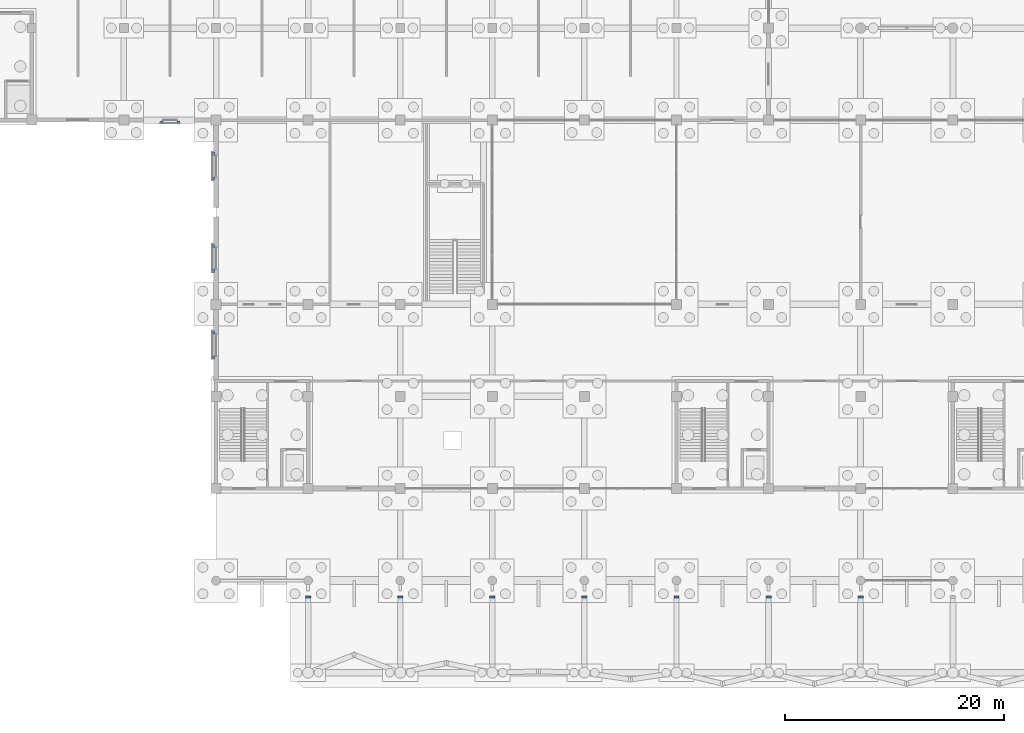
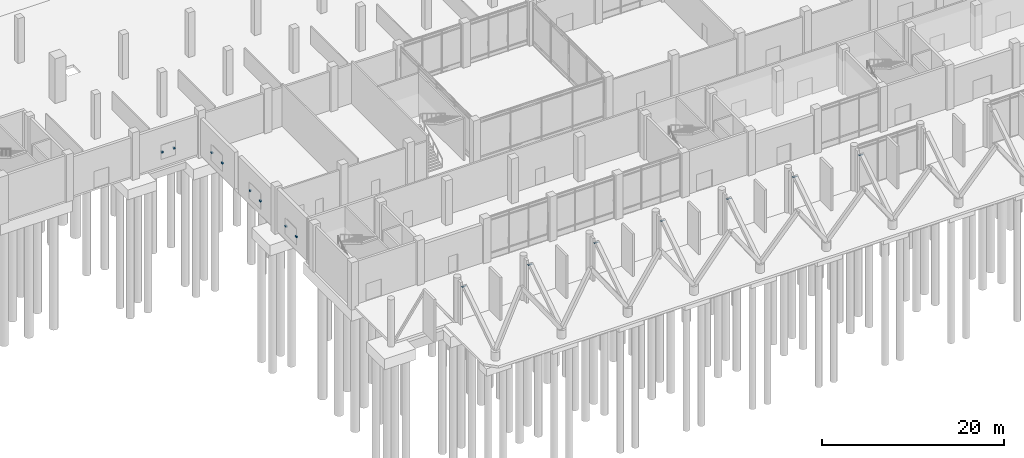
# One storey, part 65 of 72: 15 discrete accessories.
"""IFC4 building model written with IfcOpenShell, lengths in metres."""

from ifc_helpers import new_model, si_unit, direction, frame, origin, origin_2d, place, context, subcontext, project, spatial, rectangle, extrude, material, type_object, element, save


model = new_model("IFC4")

# Units and contexts
model_context = context("Model", 3, precision=1e-05, world=origin(), true_north=direction((0.0, 1.0)))
body_context = subcontext(model_context, "Body", "Model", "MODEL_VIEW")
ifc_project = project(units=[si_unit("LENGTHUNIT", "METRE"), si_unit("AREAUNIT", "SQUARE_METRE"), si_unit("VOLUMEUNIT", "CUBIC_METRE"), si_unit("PLANEANGLEUNIT", "RADIAN"), si_unit("MASSUNIT", "GRAM", prefix="KILO")], contexts=[model_context])

# Site, building, storey
site_placement = place(None, origin())
site = spatial("IfcSite", under=ifc_project, at=site_placement, CompositionType="ELEMENT")
building_placement = place(site_placement, origin())
building = spatial("IfcBuilding", under=site, at=building_placement, Name="Qawsi Khor Wholesale Market", CompositionType="ELEMENT")
storey_placement = place(building_placement, origin())
storey = spatial("IfcBuildingStorey", under=building, at=storey_placement, Name="L00", CompositionType="ELEMENT", Elevation=0.0)

# Discrete accessories
ifc_material = material(Name="Steel S355", Category="steel")
discrete_accessory_type_1 = type_object("IfcDiscreteAccessoryType", Name="Screen Fixing Bracket Steel S355", PredefinedType="BRACKET", material=ifc_material)
for number, where, z_axis, x_axis, name in (
    (1, (24.945068359375, 20.364990234375, 1.875), (0.0, 0.0, 1.0), (1.0, 0.0, 0.0), "Screen bracket 053-1"),
    (2, (24.945068359375, 22.635009765625, 1.875), (0.0, 0.0, 1.0), (1.0, 0.0, 0.0), "Screen bracket 053-2"),
    (3, (24.945068359375, 28.264892578125, 1.875), (0.0, 0.0, 1.0), (1.0, 0.0, 0.0), "Screen bracket 054-1"),
    (4, (24.945068359375, 30.534912109375, 1.875), (0.0, 0.0, 1.0), (1.0, 0.0, 0.0), "Screen bracket 054-2"),
    (5, (24.945068359375, 36.6650390625, 1.875), (0.0, 0.0, 1.0), (1.0, 0.0, 0.0), "Screen bracket 055-1"),
    (6, (24.945068359375, 38.93505859375, 1.875), (0.0, 0.0, 1.0), (1.0, 0.0, 0.0), "Screen bracket 055-2"),
    (7, (21.760009765625, 41.784912109375, 1.89990234375), (0.0, 0.0, 1.0), (1.0, 0.0, 0.0), "Screen bracket 068-1"),
    (8, (20.239990234375, 41.784912109375, 1.89990234375), (0.0, 0.0, 1.0), (1.0, 0.0, 0.0), "Screen bracket 068-2"),
):
    element("IfcDiscreteAccessory", number, at=place(storey_placement, frame(where, z_axis=z_axis, x_axis=x_axis)), inside=storey, type_object=discrete_accessory_type_1, Name=name, PredefinedType="BRACKET", context=body_context, shape_type="SweptSolid", body=[
        extrude(rectangle(XDim=0.199951171875, YDim=0.280029296875, at=origin_2d()), origin(), (0.0, 0.0, 1.0), 0.199951171875),
    ])
discrete_accessory_type_2 = type_object("IfcDiscreteAccessoryType", Name="Strut Head Seat Plate 25 S355", PredefinedType="BRACKET", material=ifc_material)
for number, where, z_axis, x_axis, name in (
    (9, (33.60009765625, -1.5, 5.505126953125), (0.0, 0.0, 1.0), (1.0, 0.0, 0.0), "Back-strut 04 head seat plate"),
    (10, (42.0, -1.5, 5.505126953125), (0.0, 0.0, 1.0), (1.0, 0.0, 0.0), "Back-strut 05 head seat plate"),
    (11, (50.39990234375, -1.5, 5.505126953125), (0.0, 0.0, 1.0), (1.0, 0.0, 0.0), "Back-strut 06 head seat plate"),
    (12, (58.800048828125, -1.5, 5.505126953125), (0.0, 0.0, 1.0), (1.0, 0.0, 0.0), "Back-strut 07 head seat plate"),
    (13, (67.199951171875, -1.5, 5.505126953125), (0.0, 0.0, 1.0), (1.0, 0.0, 0.0), "Back-strut 08 head seat plate"),
    (14, (75.60009765625, -1.5, 5.505126953125), (0.0, 0.0, 1.0), (1.0, 0.0, 0.0), "Back-strut 09 head seat plate"),
    (15, (84.0, -1.5, 5.505126953125), (0.0, 0.0, 1.0), (1.0, 0.0, 0.0), "Back-strut 10 head seat plate"),
):
    element("IfcDiscreteAccessory", number, at=place(storey_placement, frame(where, z_axis=z_axis, x_axis=x_axis)), inside=storey, type_object=discrete_accessory_type_2, Name=name, PredefinedType="BRACKET", context=body_context, shape_type="SweptSolid", body=[
        extrude(rectangle(XDim=0.5, YDim=0.199951171875, at=origin_2d()), origin(), (0.0, 0.0, 1.0), 0.02490234375),
    ])

save(model, "model.ifc")
